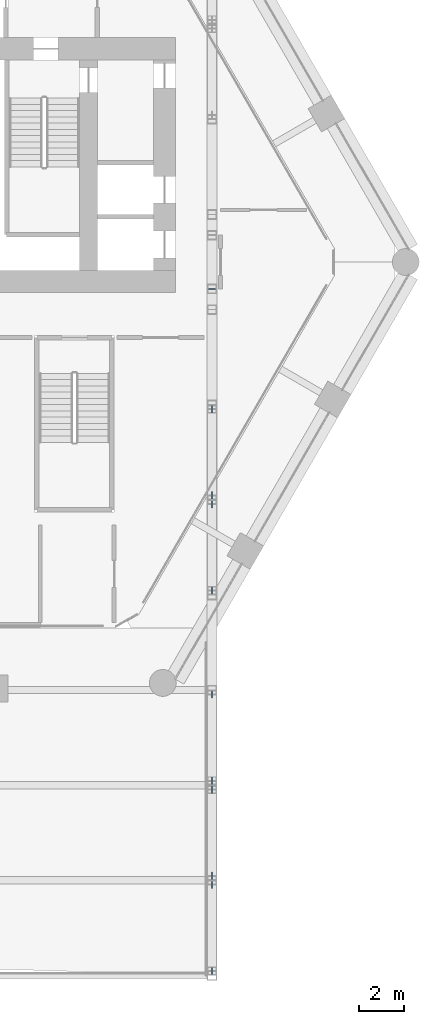
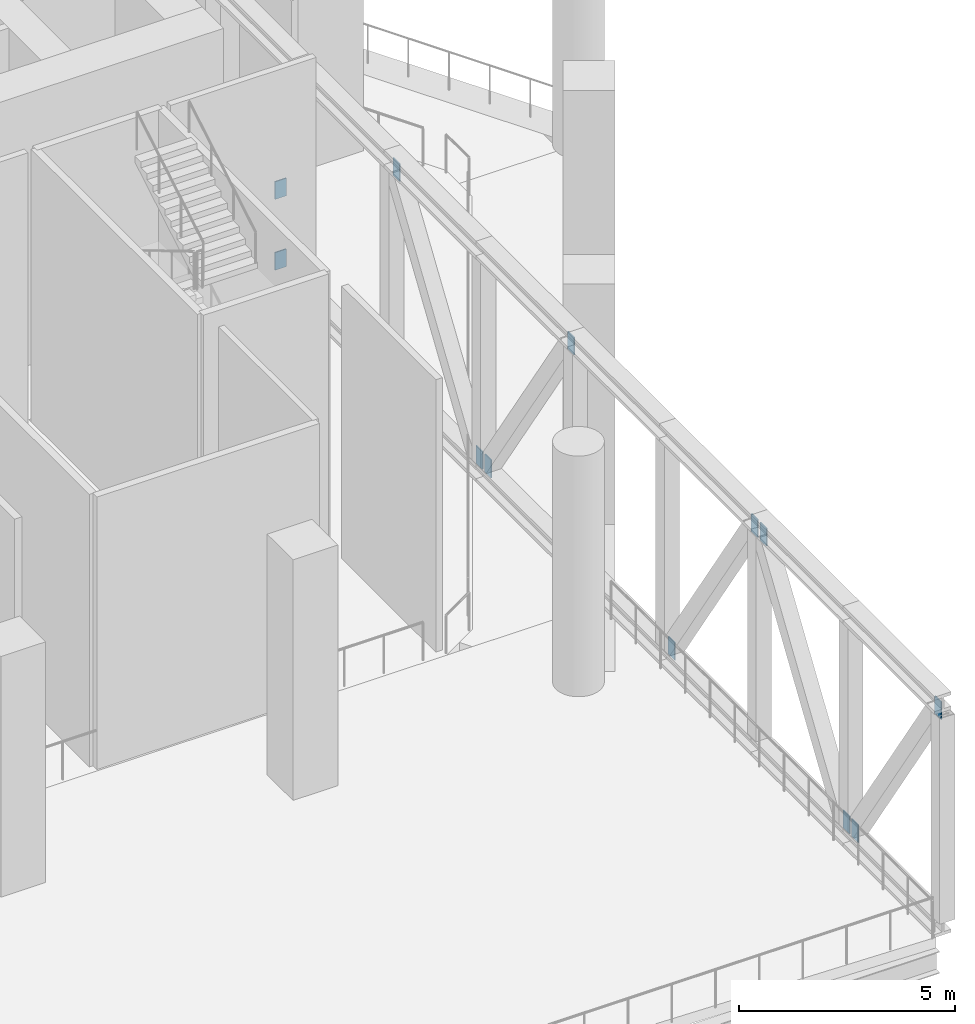
# One storey, part 9 of 16: 12 discrete accessories.
"""IFC4 building model written with IfcOpenShell, lengths in metres."""

from ifc_helpers import new_model, si_unit, direction, frame, origin, origin_2d, place, context, subcontext, project, spatial, rectangle, extrude, material, layer, layer_set, type_object, element, save


model = new_model("IFC4")

# Units and contexts
model_context = context("Model", 3, precision=1e-05, world=origin(), true_north=direction((0.0, 1.0)))
body_context = subcontext(model_context, "Body", "Model", "MODEL_VIEW")
ifc_project = project(units=[si_unit("LENGTHUNIT", "METRE"), si_unit("AREAUNIT", "SQUARE_METRE"), si_unit("VOLUMEUNIT", "CUBIC_METRE"), si_unit("PLANEANGLEUNIT", "RADIAN"), si_unit("MASSUNIT", "GRAM", prefix="KILO")], contexts=[model_context])

# Site, building, storey
site_placement = place(None, origin())
site = spatial("IfcSite", under=ifc_project, at=site_placement, CompositionType="ELEMENT")
building_placement = place(site_placement, origin())
building = spatial("IfcBuilding", under=site, at=building_placement, Name="Ostrander Bayou Hotel Tower", CompositionType="ELEMENT")
storey_placement = place(building_placement, frame((0.0, 0.0, 108.0)))
storey = spatial("IfcBuildingStorey", under=building, at=storey_placement, Name="L27", CompositionType="ELEMENT", Elevation=108.0)

# Discrete accessories
ifc_material = material(Name="Steel ASTM A572 Gr 50", Category="steel")
ifc_layer = layer(ifc_material, 0.030029296875)
ifc_layer_set = layer_set([ifc_layer], Name="GP1 gusset plate 30 mm")
discrete_accessory_type = type_object("IfcDiscreteAccessoryType", Name="GP1 gusset plate 30 mm", PredefinedType="BRACKET", material=ifc_layer_set)
for number, where, z_axis, x_axis, name in (
    (1, (13.6201171875, -1.52734375, 0.247802734375), (0.0, 0.0, 1.0), (1.0, 0.0, 0.0), "GP1 gusset plate bar 93"),
    (2, (13.6201171875, -1.52734375, 2.25), (0.0, 0.0, 1.0), (1.0, 0.0, 0.0), "GP1 gusset plate bar 94"),
    (3, (13.6201171875, -10.748291015625, 0.247802734375), (0.0, 0.0, 1.0), (0.0, 1.0, 0.0), "GP1 gusset plate bar 95"),
    (4, (13.6201171875, -6.905029296875, 6.05224609375), (0.0, 0.0, 1.0), (0.0, 1.0, 0.0), "GP1 gusset plate bar 96"),
    (5, (13.6201171875, -11.15478515625, 0.247802734375), (0.0, 0.0, 1.0), (0.0, -1.0, 0.0), "GP1 gusset plate bar 97"),
    (6, (13.6201171875, -14.998046875, 6.05224609375), (0.0, 0.0, 1.0), (0.0, -1.0, 0.0), "GP1 gusset plate bar 98"),
    (7, (13.6201171875, -19.654052734375, 0.247802734375), (0.0, 0.0, 1.0), (0.0, -1.0, 0.0), "GP1 gusset plate bar 99"),
    (8, (13.6201171875, -23.497314453125, 6.05224609375), (0.0, 0.0, 1.0), (0.0, -1.0, 0.0), "GP1 gusset plate bar 100"),
    (9, (13.6201171875, -27.7470703125, 0.247802734375), (0.0, 0.0, 1.0), (0.0, 1.0, 0.0), "GP1 gusset plate bar 101"),
    (10, (13.6201171875, -23.90380859375, 6.05224609375), (0.0, 0.0, 1.0), (0.0, 1.0, 0.0), "GP1 gusset plate bar 102"),
    (11, (13.6201171875, -28.153564453125, 0.247802734375), (0.0, 0.0, 1.0), (0.0, -1.0, 0.0), "GP1 gusset plate bar 103"),
    (12, (13.6201171875, -31.996826171875, 6.05224609375), (0.0, 0.0, 1.0), (0.0, -1.0, 0.0), "GP1 gusset plate bar 104"),
):
    element("IfcDiscreteAccessory", number, at=place(storey_placement, frame(where, z_axis=z_axis, x_axis=x_axis)), inside=storey, type_object=discrete_accessory_type, Name=name, PredefinedType="BRACKET", context=body_context, shape_type="SweptSolid", body=[
        extrude(rectangle(XDim=0.300048828125, YDim=0.030029296875, at=origin_2d()), origin(), (0.0, 0.0, 1.0), 0.5),
    ])

save(model, "model.ifc")
